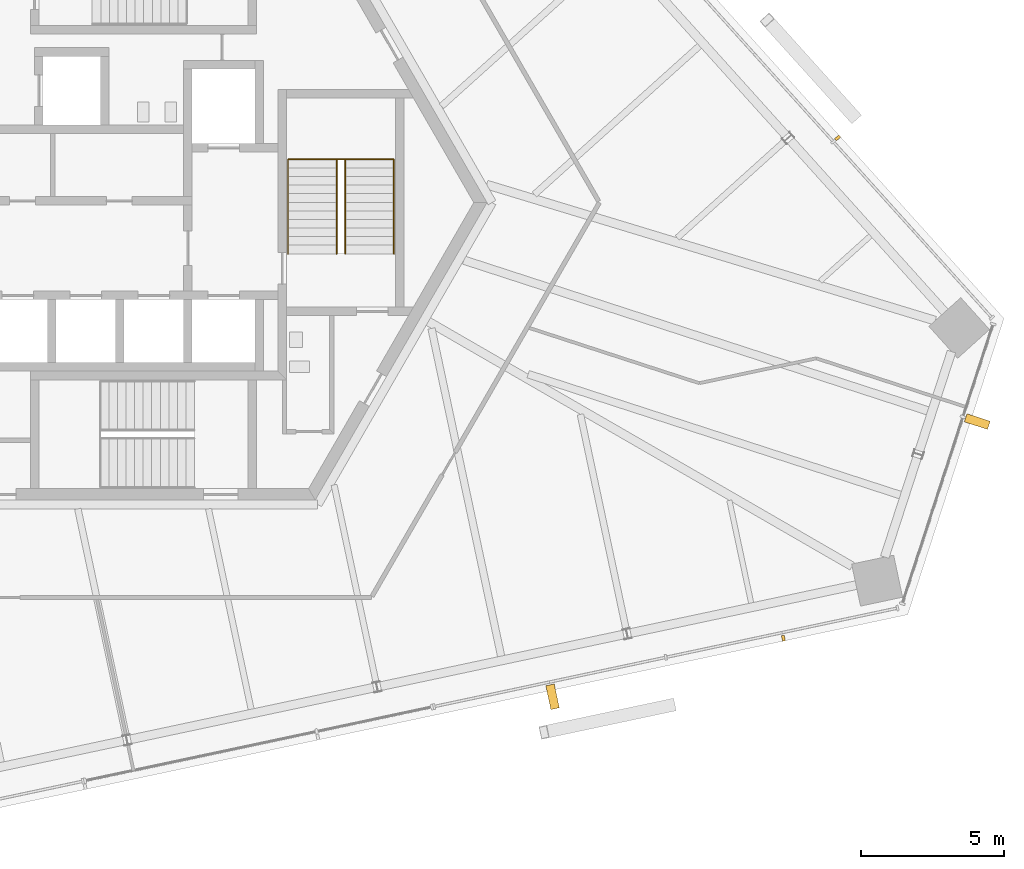
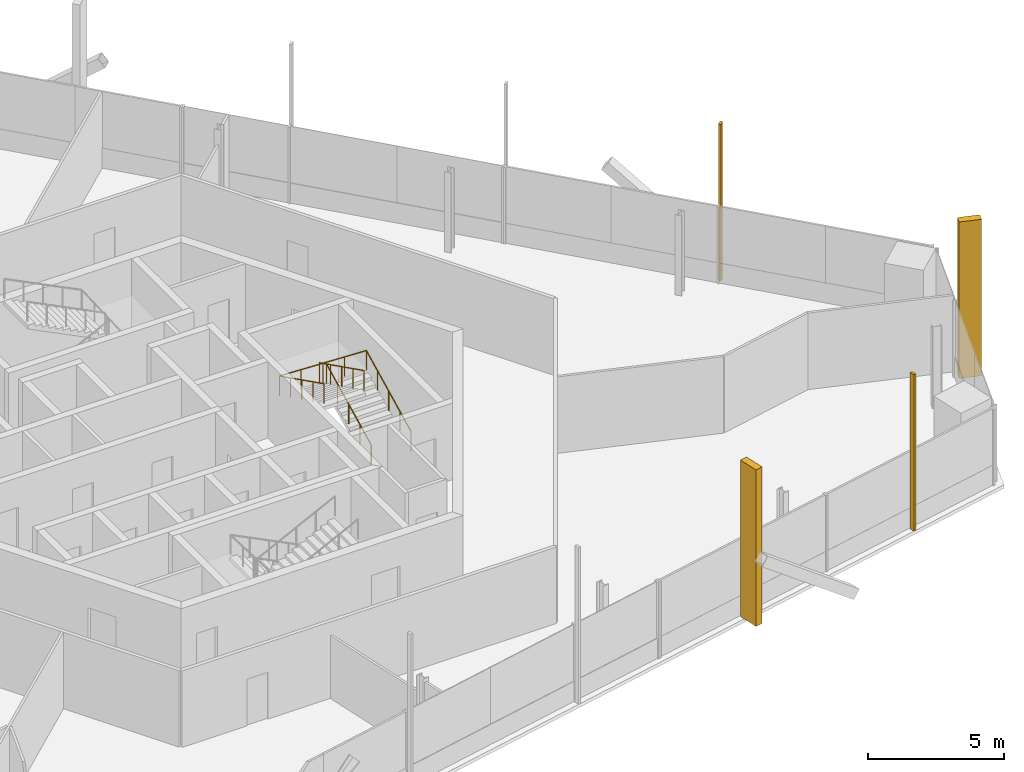
# One storey, part 14 of 16: 4 shading devices, 2 railings.
"""IFC4 building model written with IfcOpenShell, lengths in metres."""

from ifc_helpers import new_model, si_unit, direction, frame, origin, origin_2d, place, context, subcontext, project, spatial, rectangle, circle, extrude, source, transform, mapped, material, type_object, element, save


model = new_model("IFC4")

# Units and contexts
model_context = context("Model", 3, precision=1e-05, world=origin(), true_north=direction((0.0, 1.0)))
body_context = subcontext(model_context, "Body", "Model", "MODEL_VIEW")
ifc_project = project(units=[si_unit("LENGTHUNIT", "METRE"), si_unit("AREAUNIT", "SQUARE_METRE"), si_unit("VOLUMEUNIT", "CUBIC_METRE"), si_unit("PLANEANGLEUNIT", "RADIAN"), si_unit("MASSUNIT", "GRAM", prefix="KILO")], contexts=[model_context])

# Site, building, storey
site_placement = place(None, origin())
site = spatial("IfcSite", under=ifc_project, at=site_placement, CompositionType="ELEMENT")
building_placement = place(site_placement, origin())
building = spatial("IfcBuilding", under=site, at=building_placement, Name="Triune Harvest Tower", CompositionType="ELEMENT")
storey_placement = place(building_placement, frame((0.0, 0.0, 266.699951171875)))
storey = spatial("IfcBuildingStorey", under=building, at=storey_placement, Name="L70", CompositionType="ELEMENT", Elevation=266.699951171875)

# Railings
ifc_material_1 = material(Name="Stainless steel AISI 316", Category="steel")
railing_type = type_object("IfcRailingType", Name="Stair handrail", PredefinedType="HANDRAIL", material=ifc_material_1)
shared_shape_1 = source(origin(), body_context, "Body", "SweptSolid", [
    extrude(circle(Radius=0.02392578125, at=origin_2d()), frame((0.0, 0.0, 0.8759765625), z_axis=(0.0, 0.894440424912, 0.447187126696), x_axis=(-1.0, 0.0, 0.0)), (0.0, 0.0, 1.0), 3.689453125),
    extrude(circle(Radius=0.02392578125, at=origin_2d()), frame((0.0, 3.300048828125, 2.52587890625), z_axis=(-0.999180289278, 0.0, 0.040481471304), x_axis=(0.0, -1.0, 0.0)), (0.0, 0.0, 1.0), 3.702880859375),
    extrude(circle(Radius=0.02392578125, at=origin_2d()), frame((-3.699951171875, 3.300048828125, 2.67578125), z_axis=(0.0, -0.894413956696, 0.447240063129), x_axis=(1.0, 0.0, 0.0)), (0.0, 0.0, 1.0), 3.689697265625),
    extrude(circle(Radius=0.02099609375, at=origin_2d()), origin(), (0.0, 0.0, 1.0), 0.851806640625),
    extrude(circle(Radius=0.02099609375, at=origin_2d()), frame((0.0, 0.824951171875, 0.41259765625)), (0.0, 0.0, 1.0), 0.851806640625),
    extrude(circle(Radius=0.02099609375, at=origin_2d()), frame((0.0, 1.64990234375, 0.824951171875)), (0.0, 0.0, 1.0), 0.851806640625),
    extrude(circle(Radius=0.02099609375, at=origin_2d()), frame((0.0, 2.47509765625, 1.2373046875)), (0.0, 0.0, 1.0), 0.851806640625),
    extrude(circle(Radius=0.02099609375, at=origin_2d()), frame((0.0, 3.300048828125, 1.64990234375)), (0.0, 0.0, 1.0), 0.851806640625),
    extrude(circle(Radius=0.02099609375, at=origin_2d()), frame((-0.925048828125, 3.300048828125, 1.6875)), (0.0, 0.0, 1.0), 0.851806640625),
    extrude(circle(Radius=0.02099609375, at=origin_2d()), frame((-1.85009765625, 3.300048828125, 1.724853515625)), (0.0, 0.0, 1.0), 0.851806640625),
    extrude(circle(Radius=0.02099609375, at=origin_2d()), frame((-2.77490234375, 3.300048828125, 1.76220703125)), (0.0, 0.0, 1.0), 0.851806640625),
    extrude(circle(Radius=0.02099609375, at=origin_2d()), frame((-3.699951171875, 3.300048828125, 1.7998046875)), (0.0, 0.0, 1.0), 0.851806640625),
    extrude(circle(Radius=0.02099609375, at=origin_2d()), frame((-3.699951171875, 2.47509765625, 2.21240234375)), (0.0, 0.0, 1.0), 0.851806640625),
    extrude(circle(Radius=0.02099609375, at=origin_2d()), frame((-3.699951171875, 1.64990234375, 2.625)), (0.0, 0.0, 1.0), 0.851806640625),
    extrude(circle(Radius=0.02099609375, at=origin_2d()), frame((-3.699951171875, 0.824951171875, 3.037353515625)), (0.0, 0.0, 1.0), 0.851806640625),
    extrude(circle(Radius=0.02099609375, at=origin_2d()), frame((-3.699951171875, 0.0, 3.449951171875)), (0.0, 0.0, 1.0), 0.851806640625),
])
railing_1_placement = place(storey_placement, frame((8.75, -1.7900390625, 0.150146484375)))
element("IfcRailing", 1, at=railing_1_placement, inside=storey, type_object=railing_type, Name="Exit stair east wall handrail", PredefinedType="HANDRAIL", context=body_context, shape_type="MappedRepresentation", body=[
    mapped(shared_shape_1, transform((0.0, 0.0, 0.0), scale=1.0)),
])
shared_shape_2 = source(origin(), body_context, "Body", "SweptSolid", [
    extrude(circle(Radius=0.02392578125, at=origin_2d()), frame((0.0, 0.0, 0.8759765625), z_axis=(0.0, 0.894440424912, 0.447187126696), x_axis=(-1.0, 0.0, 0.0)), (0.0, 0.0, 1.0), 3.689453125),
    extrude(circle(Radius=0.02392578125, at=origin_2d()), frame((0.0, 3.300048828125, 2.52587890625), z_axis=(-0.894572720946, 0.0, 0.446922417137), x_axis=(0.0, -1.0, 0.0)), (0.0, 0.0, 1.0), 0.33544921875),
    extrude(circle(Radius=0.02392578125, at=origin_2d()), frame((-0.300048828125, 3.300048828125, 2.67578125), z_axis=(0.0, -0.894413956696, 0.447240063129), x_axis=(1.0, 0.0, 0.0)), (0.0, 0.0, 1.0), 3.689697265625),
    extrude(circle(Radius=0.02099609375, at=origin_2d()), origin(), (0.0, 0.0, 1.0), 0.851806640625),
    extrude(circle(Radius=0.02099609375, at=origin_2d()), frame((0.0, 0.824951171875, 0.41259765625)), (0.0, 0.0, 1.0), 0.851806640625),
    extrude(circle(Radius=0.02099609375, at=origin_2d()), frame((0.0, 1.64990234375, 0.824951171875)), (0.0, 0.0, 1.0), 0.851806640625),
    extrude(circle(Radius=0.02099609375, at=origin_2d()), frame((0.0, 2.47509765625, 1.2373046875)), (0.0, 0.0, 1.0), 0.851806640625),
    extrude(circle(Radius=0.02099609375, at=origin_2d()), frame((0.0, 3.300048828125, 1.64990234375)), (0.0, 0.0, 1.0), 0.851806640625),
    extrude(circle(Radius=0.02099609375, at=origin_2d()), frame((-0.300048828125, 3.300048828125, 1.7998046875)), (0.0, 0.0, 1.0), 0.851806640625),
    extrude(circle(Radius=0.02099609375, at=origin_2d()), frame((-0.300048828125, 2.47509765625, 2.21240234375)), (0.0, 0.0, 1.0), 0.851806640625),
    extrude(circle(Radius=0.02099609375, at=origin_2d()), frame((-0.300048828125, 1.64990234375, 2.625)), (0.0, 0.0, 1.0), 0.851806640625),
    extrude(circle(Radius=0.02099609375, at=origin_2d()), frame((-0.300048828125, 0.824951171875, 3.037353515625)), (0.0, 0.0, 1.0), 0.851806640625),
    extrude(circle(Radius=0.02099609375, at=origin_2d()), frame((-0.300048828125, 0.0, 3.449951171875)), (0.0, 0.0, 1.0), 0.851806640625),
])
railing_2_placement = place(storey_placement, frame((7.050048828125, -1.7900390625, 0.150146484375)))
element("IfcRailing", 2, at=railing_2_placement, inside=storey, type_object=railing_type, Name="Exit stair east centre handrail", PredefinedType="HANDRAIL", context=body_context, shape_type="MappedRepresentation", body=[
    mapped(shared_shape_2, transform((0.0, 0.0, 0.0), scale=1.0)),
])

# Shading devices
ifc_material_2 = material(Name="Aluminium bronze anodised", Category="aluminium")
shared_shape_3 = source(origin(), body_context, "Body", "SweptSolid", [
    extrude(rectangle(XDim=0.10009765625, YDim=0.199951171875, at=origin_2d()), origin(), (0.0, 0.0, 1.0), 7.0400390625),
])
for number, where, z_axis, x_axis, name in (
    (3, (24.246337890625, 2.2587890625, 0.0), (0.0, 0.0, 1.0), (-0.669131447108, 0.743144068463, 0.0), "FN-1 fin B7-F1.3 L70"),
    (4, (22.352783203125, -15.215087890625, 0.0), (0.0, 0.0, 1.0), (0.978147751834, 0.207910979944, 0.0), "FN-1 fin B7-F5.11 L70"),
):
    element("IfcShadingDevice", number, at=place(storey_placement, frame(where, z_axis=z_axis, x_axis=x_axis)), inside=storey, material=ifc_material_2, Name=name, ObjectType="FIN", PredefinedType="USERDEFINED", context=body_context, shape_type="MappedRepresentation", body=[
        mapped(shared_shape_3, transform((0.0, 0.0, 0.0), scale=1.0)),
    ])
shared_shape_4 = source(origin(), body_context, "Body", "SweptSolid", [
    extrude(rectangle(XDim=0.300048828125, YDim=0.85009765625, at=origin_2d()), origin(), (0.0, 0.0, 1.0), 7.0400390625),
])
for number, where, z_axis, x_axis, name in (
    (5, (14.29052734375, -17.260986328125, 0.0), (0.0, 0.0, 1.0), (0.978147751834, 0.207910979944, 0.0), "FN-2 fin B7-F5.9 L70"),
    (6, (29.12451171875, -7.648681640625, 0.0), (0.0, 0.0, 1.0), (0.309018882717, 0.951055902733, 0.0), "FN-2 fin B7-F6.3 L70"),
):
    element("IfcShadingDevice", number, at=place(storey_placement, frame(where, z_axis=z_axis, x_axis=x_axis)), inside=storey, material=ifc_material_2, Name=name, ObjectType="FIN", PredefinedType="USERDEFINED", context=body_context, shape_type="MappedRepresentation", body=[
        mapped(shared_shape_4, transform((0.0, 0.0, 0.0), scale=1.0)),
    ])

save(model, "model.ifc")
